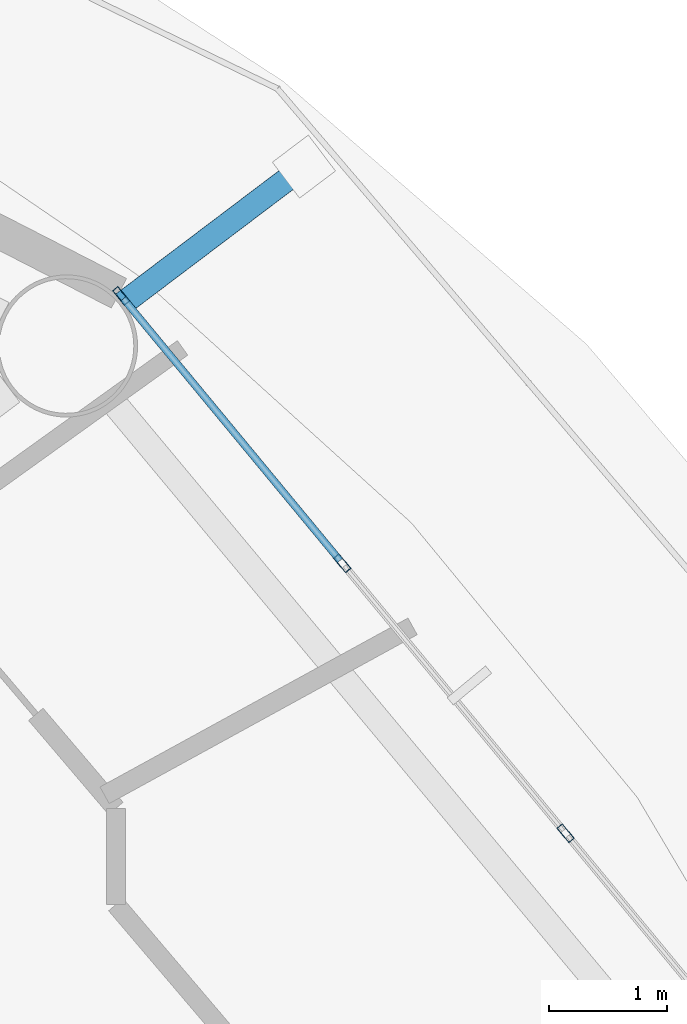
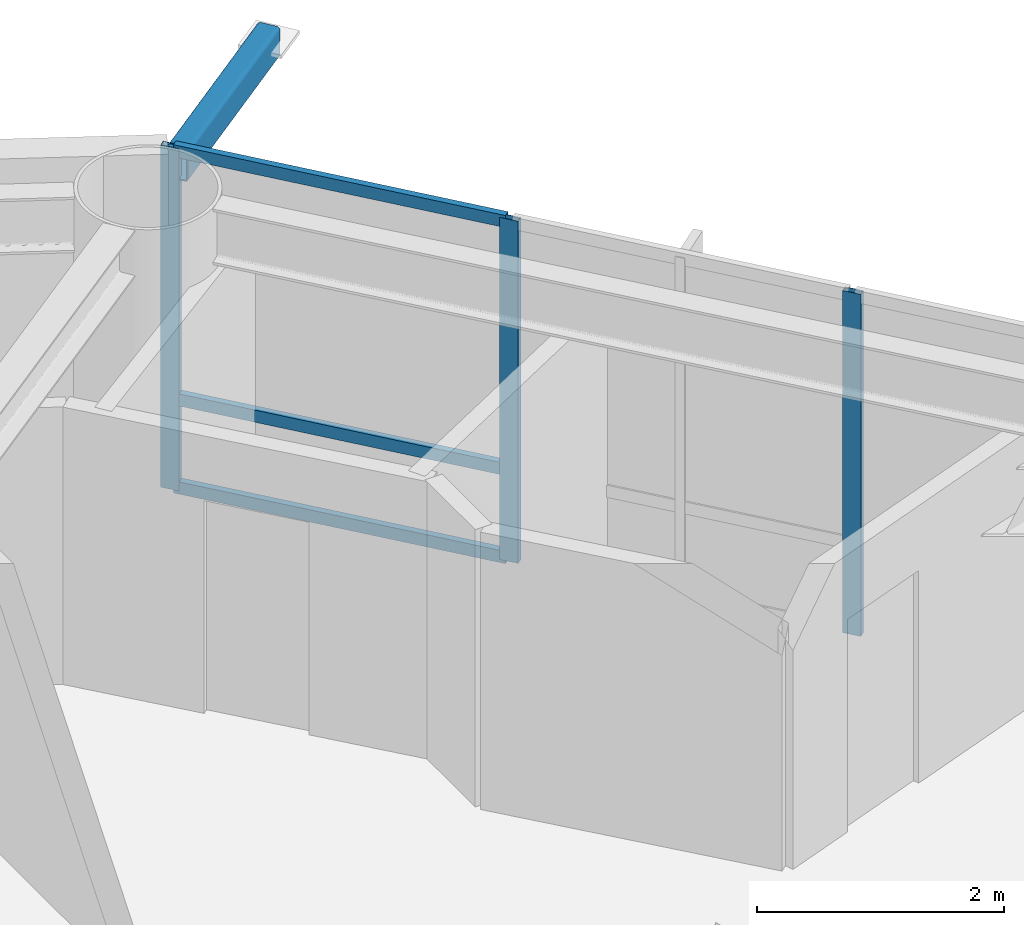
# One storey, part 15 of 27: 7 members, 1 element without a shape of its own.
"""IFC4 building model written with IfcOpenShell, lengths in metres."""

from ifc_helpers import new_model, si_unit, direction, frame, origin, origin_2d, place, context, subcontext, project, spatial, hollow_rectangle, extrude, material, layer, layer_set, material_profile, profile_set, type_object, element, aggregate, save


model = new_model("IFC4")

# Units and contexts
model_context = context("Model", 3, precision=1e-05, world=origin(), true_north=direction((0.0, 1.0)))
body_context = subcontext(model_context, "Body", "Model", "MODEL_VIEW")
ifc_project = project(units=[si_unit("LENGTHUNIT", "METRE"), si_unit("AREAUNIT", "SQUARE_METRE"), si_unit("VOLUMEUNIT", "CUBIC_METRE"), si_unit("PLANEANGLEUNIT", "RADIAN"), si_unit("MASSUNIT", "GRAM", prefix="KILO")], contexts=[model_context])

# Site, building, storey
site_placement = place(None, origin())
site = spatial("IfcSite", under=ifc_project, at=site_placement, CompositionType="ELEMENT")
building_placement = place(site_placement, origin())
building = spatial("IfcBuilding", under=site, at=building_placement, Name="Sarneth Arch Tower", CompositionType="ELEMENT")
storey_placement = place(building_placement, frame((0.0, 0.0, 193.800048828125)))
storey = spatial("IfcBuildingStorey", under=building, at=storey_placement, Name="L49", CompositionType="ELEMENT", Elevation=193.800048828125)

# Curtain wall, members
ifc_material_1 = material(Name="Anodised aluminium Type AA25 and solar-control low-e laminated IGU", Category="aluminium")
ifc_layer = layer(ifc_material_1, 0.169921875)
ifc_layer_set = layer_set([ifc_layer], Name="Anodised aluminium Type AA25 and solar-control low-e laminated IGU")
curtain_wall_type = type_object("IfcCurtainWallType", Name="CW-RES-MID", PredefinedType="NOTDEFINED", material=ifc_layer_set)
curtain_wall_placement = place(storey_placement, origin())
curtain_wall = element("IfcCurtainWall", 1, at=curtain_wall_placement, inside=storey, type_object=curtain_wall_type, Name="L49 Unitised curtain wall facet 02", PredefinedType="NOTDEFINED")
ifc_material_2 = material(Name="Anodised Aluminium 6063-T6", Category="aluminium")
ifc_material_profile_1 = material_profile(ifc_material_2, hollow_rectangle(XDim=0.06005859375, YDim=0.159912109375, WallThickness=0.00390625, at=origin_2d()), Name="AL-MULL-160x60x4")
ifc_profile_set_1 = profile_set([ifc_material_profile_1], Name="Anodised Aluminium 6063-T6")
member_type_1 = type_object("IfcMemberType", Name="CW-MULLION", PredefinedType="MULLION", material=ifc_profile_set_1)
member_1_placement = place(storey_placement, frame((71.346923828125, 52.3466796875, 0.0), z_axis=(0.0, 0.0, 1.0), x_axis=(-0.770590741276, -0.637330298558, 0.0)))
member_1 = element("IfcMember", 2, at=member_1_placement, type_object=member_type_1, Name="CW-SYS-5 mullion 2", PredefinedType="MULLION", context=body_context, shape_type="SweptSolid", body=[
    extrude(hollow_rectangle(XDim=0.06005859375, YDim=0.159912109375, WallThickness=0.00390625, at=origin_2d()), origin(), (0.0, 0.0, 1.0), 3.3798828125),
])
member_2_placement = place(storey_placement, frame((69.46142578125, 54.626220703125, 0.0), z_axis=(0.0, 0.0, 1.0), x_axis=(-0.770590741276, -0.637330298558, 0.0)))
member_2 = element("IfcMember", 3, at=member_2_placement, type_object=member_type_1, Name="CW-SYS-5 mullion 3", PredefinedType="MULLION", context=body_context, shape_type="SweptSolid", body=[
    extrude(hollow_rectangle(XDim=0.06005859375, YDim=0.159912109375, WallThickness=0.00390625, at=origin_2d()), origin(), (0.0, 0.0, 1.0), 3.3798828125),
])
member_3_placement = place(storey_placement, frame((67.59521484375, 56.8828125, 0.0), z_axis=(0.0, 0.0, 1.0), x_axis=(-0.770590741276, -0.637330298558, 0.0)))
member_3 = element("IfcMember", 4, at=member_3_placement, type_object=member_type_1, Name="CW-SYS-5 mullion 4", PredefinedType="MULLION", context=body_context, shape_type="SweptSolid", body=[
    extrude(hollow_rectangle(XDim=0.06005859375, YDim=0.159912109375, WallThickness=0.00390625, at=origin_2d()), origin(), (0.0, 0.0, 1.0), 3.3798828125),
])
ifc_material_3 = material(Name="Anodised Aluminium 6063-T6", Category="aluminium")
ifc_material_profile_2 = material_profile(ifc_material_3, hollow_rectangle(XDim=0.06005859375, YDim=0.1201171875, WallThickness=0.00390625, at=origin_2d()), Name="AL-TRAN-120x60x4")
ifc_profile_set_2 = profile_set([ifc_material_profile_2], Name="Anodised Aluminium 6063-T6")
member_type_2 = type_object("IfcMemberType", Name="CW-TRANSOM", PredefinedType="USERDEFINED", material=ifc_profile_set_2)
member_4_placement = place(storey_placement, frame((69.4423828125, 54.6494140625, 0.030029296875), z_axis=(-0.637358651504, 0.770567290607, 0.0), x_axis=(-0.770567290607, -0.637358651504, 0.0)))
member_4 = element("IfcMember", 5, at=member_4_placement, type_object=member_type_2, Name="CW-SYS-5 transom 3.1", ObjectType="TRANSOM", PredefinedType="USERDEFINED", context=body_context, shape_type="SweptSolid", body=[
    extrude(hollow_rectangle(XDim=0.06005859375, YDim=0.1201171875, WallThickness=0.00390625, at=origin_2d()), origin(), (0.0, 0.0, 1.0), 2.8681640625),
])
member_5_placement = place(storey_placement, frame((69.4423828125, 54.6494140625, 0.89990234375), z_axis=(-0.637358651504, 0.770567290607, 0.0), x_axis=(-0.770567290607, -0.637358651504, 0.0)))
member_5 = element("IfcMember", 6, at=member_5_placement, type_object=member_type_2, Name="CW-SYS-5 transom 3.2", ObjectType="TRANSOM", PredefinedType="USERDEFINED", context=body_context, shape_type="SweptSolid", body=[
    extrude(hollow_rectangle(XDim=0.06005859375, YDim=0.1201171875, WallThickness=0.00390625, at=origin_2d()), origin(), (0.0, 0.0, 1.0), 2.8681640625),
])
member_6_placement = place(storey_placement, frame((69.4423828125, 54.6494140625, 3.349853515625), z_axis=(-0.637358651504, 0.770567290607, 0.0), x_axis=(-0.770567290607, -0.637358651504, 0.0)))
member_6 = element("IfcMember", 7, at=member_6_placement, type_object=member_type_2, Name="CW-SYS-5 transom 3.3", ObjectType="TRANSOM", PredefinedType="USERDEFINED", context=body_context, shape_type="SweptSolid", body=[
    extrude(hollow_rectangle(XDim=0.06005859375, YDim=0.1201171875, WallThickness=0.00390625, at=origin_2d()), origin(), (0.0, 0.0, 1.0), 2.8681640625),
])
aggregate(curtain_wall, [member_1, member_2, member_3, member_4, member_5, member_6])

# Member
ifc_material_4 = material(Name="Steel S355", Category="steel")
ifc_material_profile_3 = material_profile(ifc_material_4, hollow_rectangle(XDim=0.199951171875, YDim=0.300048828125, WallThickness=0.012451171875, InnerFilletRadius=0.018798828125, OuterFilletRadius=0.03125, at=origin_2d()), Name="RHS300x200x12.5")
ifc_profile_set_3 = profile_set([ifc_material_profile_3], Name="Steel S355")
member_type_3 = type_object("IfcMemberType", Name="MEM-CANT-STRUT", PredefinedType="STRUT", material=ifc_profile_set_3)
member_7_placement = place(storey_placement, frame((67.612548828125, 56.822021484375, 3.219970703125), z_axis=(0.797773161392, 0.602957695832, 0.0), x_axis=(-0.602957695832, 0.797773161392, 0.0)))
element("IfcMember", 8, at=member_7_placement, inside=storey, type_object=member_type_3, Name="L49 Balcony cantilever bracket 03", PredefinedType="STRUT", context=body_context, shape_type="SweptSolid", body=[
    extrude(hollow_rectangle(XDim=0.199951171875, YDim=0.300048828125, WallThickness=0.012451171875, InnerFilletRadius=0.018798828125, OuterFilletRadius=0.03125, at=origin_2d()), origin(), (0.0, 0.0, 1.0), 1.912353515625),
])

save(model, "model.ifc")
